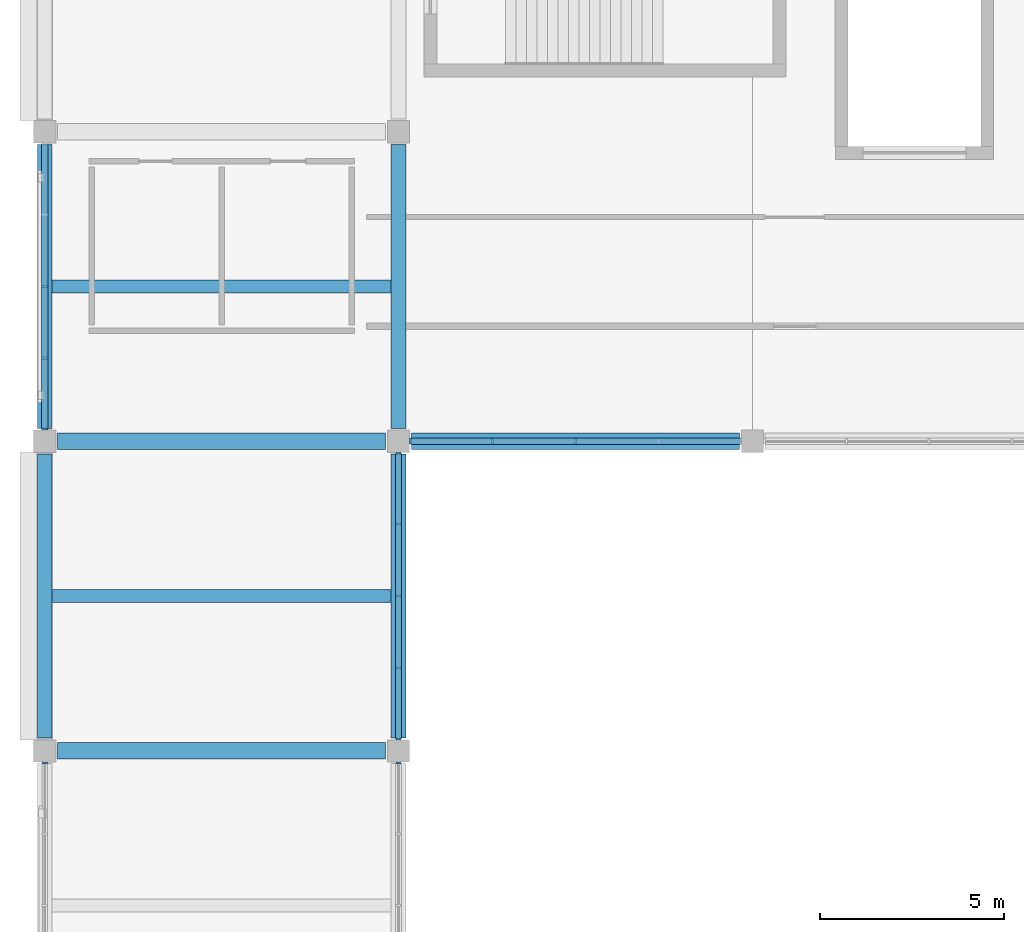
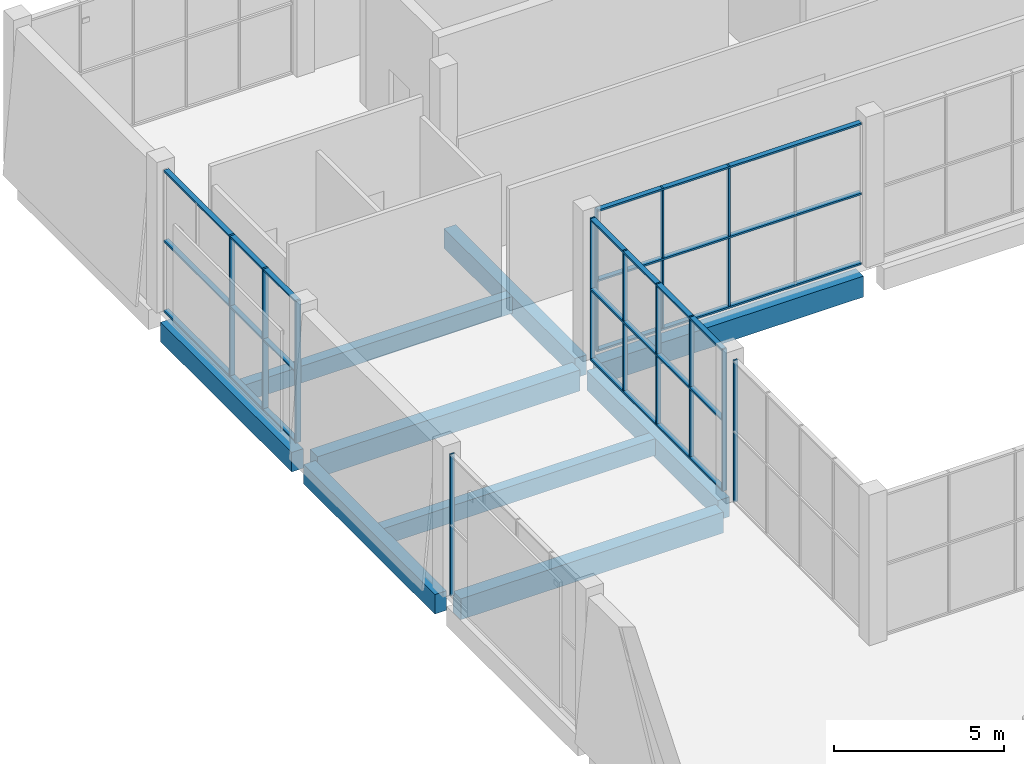
# One storey, part 24 of 83: 22 members, 9 beams, 5 elements without a shape of their own.
"""IFC4 building model written with IfcOpenShell, lengths in metres."""

from ifc_helpers import new_model, si_unit, direction, frame, origin, origin_2d, place, context, subcontext, project, spatial, rectangle, extrude, material, material_profile, profile_set, type_object, element, aggregate, save


model = new_model("IFC4")

# Units and contexts
model_context = context("Model", 3, precision=1e-05, world=origin(), true_north=direction((0.0, 1.0)))
body_context = subcontext(model_context, "Body", "Model", "MODEL_VIEW")
ifc_project = project(units=[si_unit("LENGTHUNIT", "METRE"), si_unit("AREAUNIT", "SQUARE_METRE"), si_unit("VOLUMEUNIT", "CUBIC_METRE"), si_unit("PLANEANGLEUNIT", "RADIAN"), si_unit("MASSUNIT", "GRAM", prefix="KILO")], contexts=[model_context])

# Site, building, storey
site_placement = place(None, origin())
site = spatial("IfcSite", under=ifc_project, at=site_placement, CompositionType="ELEMENT")
building_placement = place(site_placement, origin())
building = spatial("IfcBuilding", under=site, at=building_placement, Name="Shalvenor Court Art Gallery", CompositionType="ELEMENT")
storey_placement = place(building_placement, frame((0.0, 0.0, 6.0)))
storey = spatial("IfcBuildingStorey", under=building, at=storey_placement, Name="L01", CompositionType="ELEMENT", Elevation=6.0)

# Beams
ifc_material_1 = material(Name="Concrete C40/50", Category="concrete")
ifc_material_profile_1 = material_profile(ifc_material_1, rectangle(XDim=0.449951171875, YDim=0.75, at=origin_2d()), Name="RC 450x750")
ifc_profile_set_1 = profile_set([ifc_material_profile_1], Name="Concrete C40/50")
beam_type_1 = type_object("IfcBeamType", Name="B-04", PredefinedType="BEAM", material=ifc_profile_set_1)
for number, where, z_axis, x_axis, name in (
    (1, (0.35009765625, 97.199951171875, -0.695068359375), (1.0, 0.0, 0.0), (0.0, 1.0, 0.0), "L01 Girder BM-L01-B-04-0581"),
    (2, (0.35009765625, 105.60009765625, -0.695068359375), (1.0, 0.0, 0.0), (0.0, 1.0, 0.0), "L01 Girder BM-L01-B-04-0595"),
):
    element("IfcBeam", number, at=place(storey_placement, frame(where, z_axis=z_axis, x_axis=x_axis)), inside=storey, type_object=beam_type_1, Name=name, PredefinedType="BEAM", context=body_context, shape_type="SweptSolid", body=[
        extrude(rectangle(XDim=0.449951171875, YDim=0.75, at=origin_2d()), origin(), (0.0, 0.0, 1.0), 8.89990234375),
    ])
beam_placement = place(storey_placement, frame((9.949951171875, 105.60009765625, -0.695068359375), z_axis=(1.0, 0.0, 0.0), x_axis=(0.0, 1.0, 0.0)))
element("IfcBeam", 3, at=beam_placement, inside=storey, type_object=beam_type_1, Name="L01 Girder BM-L01-B-04-0596", PredefinedType="BEAM", context=body_context, shape_type="SweptSolid", body=[
    extrude(rectangle(XDim=0.449951171875, YDim=0.75, at=origin_2d()), origin(), (0.0, 0.0, 1.0), 8.900146484375),
])
ifc_material_2 = material(Name="Concrete C40/50", Category="concrete")
ifc_material_profile_2 = material_profile(ifc_material_2, rectangle(XDim=0.39990234375, YDim=0.699951171875, at=origin_2d()), Name="RC 400x700")
ifc_profile_set_2 = profile_set([ifc_material_profile_2], Name="Concrete C40/50")
beam_type_2 = type_object("IfcBeamType", Name="B-05", PredefinedType="BEAM", material=ifc_profile_set_2)
for number, where, z_axis, x_axis, name in (
    (4, (0.0, 97.550048828125, -0.669921875), (0.0, 1.0, 0.0), (-1.0, 0.0, 0.0), "L01 Girder BM-L01-B-05-0363"),
    (5, (0.0, 105.949951171875, -0.669921875), (0.0, 1.0, 0.0), (-1.0, 0.0, 0.0), "L01 Girder BM-L01-B-05-0364"),
    (6, (9.60009765625, 97.550048828125, -0.669921875), (0.0, 1.0, 0.0), (-1.0, 0.0, 0.0), "L01 Girder BM-L01-B-05-0371"),
    (7, (9.60009765625, 105.949951171875, -0.669921875), (0.0, 1.0, 0.0), (-1.0, 0.0, 0.0), "L01 Girder BM-L01-B-05-0372"),
):
    element("IfcBeam", number, at=place(storey_placement, frame(where, z_axis=z_axis, x_axis=x_axis)), inside=storey, type_object=beam_type_2, Name=name, PredefinedType="BEAM", context=body_context, shape_type="SweptSolid", body=[
        extrude(rectangle(XDim=0.39990234375, YDim=0.699951171875, at=origin_2d()), origin(), (0.0, 0.0, 1.0), 7.699951171875),
    ])

# Curtain wall, members
ifc_material_3 = material(Name="Anodised aluminium and low-iron glass curtain wall", Category="aluminium")
curtain_wall_type_1 = type_object("IfcCurtainWallType", Name="CW-4x2-78-51-121", PredefinedType="USERDEFINED", material=ifc_material_3)
curtain_wall_1_placement = place(storey_placement, origin())
curtain_wall_1 = element("IfcCurtainWall", 8, at=curtain_wall_1_placement, inside=storey, type_object=curtain_wall_type_1, Name="L01 V5 Curtain Wall CW-L01-172", ObjectType="CURTAIN WALL", PredefinedType="USERDEFINED")
ifc_material_4 = material(Name="Anodised aluminium mullion", Category="aluminium")
ifc_material_profile_3 = material_profile(ifc_material_4, rectangle(XDim=0.06494140625, YDim=0.179931640625, at=origin_2d()), Name="CWM-01")
ifc_profile_set_3 = profile_set([ifc_material_profile_3], Name="Anodised aluminium mullion")
member_type_1 = type_object("IfcMemberType", Name="CWM-01", PredefinedType="MULLION", material=ifc_profile_set_3)
member_1_placement = place(storey_placement, frame((0.0, 105.9326171875, 0.0), z_axis=(0.0, 0.0, 1.0), x_axis=(0.0, 1.0, 0.0)))
member_1 = element("IfcMember", 9, at=member_1_placement, type_object=member_type_1, Name="CW-4x2-78-51-121 mullion 1", PredefinedType="MULLION", context=body_context, shape_type="SweptSolid", body=[
    extrude(rectangle(XDim=0.06494140625, YDim=0.179931640625, at=origin_2d()), origin(), (0.0, 0.0, 1.0), 5.080078125),
])
member_2_placement = place(storey_placement, frame((0.0, 107.85009765625, 0.0), z_axis=(0.0, 0.0, 1.0), x_axis=(0.0, 1.0, 0.0)))
member_2 = element("IfcMember", 10, at=member_2_placement, type_object=member_type_1, Name="CW-4x2-78-51-121 mullion 2", PredefinedType="MULLION", context=body_context, shape_type="SweptSolid", body=[
    extrude(rectangle(XDim=0.06494140625, YDim=0.179931640625, at=origin_2d()), origin(), (0.0, 0.0, 1.0), 5.080078125),
])
member_3_placement = place(storey_placement, frame((0.0, 109.800048828125, 0.0), z_axis=(0.0, 0.0, 1.0), x_axis=(0.0, 1.0, 0.0)))
member_3 = element("IfcMember", 11, at=member_3_placement, type_object=member_type_1, Name="CW-4x2-78-51-121 mullion 3", PredefinedType="MULLION", context=body_context, shape_type="SweptSolid", body=[
    extrude(rectangle(XDim=0.06494140625, YDim=0.179931640625, at=origin_2d()), origin(), (0.0, 0.0, 1.0), 5.080078125),
])

# Curtain wall, member
ifc_material_5 = material(Name="Anodised aluminium and low-iron glass curtain wall", Category="aluminium")
curtain_wall_type_2 = type_object("IfcCurtainWallType", Name="CW-4x2-78-51-611", PredefinedType="USERDEFINED", material=ifc_material_5)
curtain_wall_2_placement = place(storey_placement, origin())
curtain_wall_2 = element("IfcCurtainWall", 12, at=curtain_wall_2_placement, inside=storey, type_object=curtain_wall_type_2, Name="L01 V5 Curtain Wall CW-L01-171", ObjectType="CURTAIN WALL", PredefinedType="USERDEFINED")
ifc_material_6 = material(Name="Anodised aluminium mullion", Category="aluminium")
ifc_material_profile_4 = material_profile(ifc_material_6, rectangle(XDim=0.054931640625, YDim=0.139892578125, at=origin_2d()), Name="CWM-06")
ifc_profile_set_4 = profile_set([ifc_material_profile_4], Name="Anodised aluminium mullion")
member_type_2 = type_object("IfcMemberType", Name="CWM-06", PredefinedType="MULLION", material=ifc_profile_set_4)
member_4_placement = place(storey_placement, frame((0.0, 96.87255859375, 0.0), z_axis=(0.0, 0.0, 1.0), x_axis=(0.0, 1.0, 0.0)))
member_4 = element("IfcMember", 13, at=member_4_placement, type_object=member_type_2, Name="CW-4x2-78-51-611 mullion 5", PredefinedType="MULLION", context=body_context, shape_type="SweptSolid", body=[
    extrude(rectangle(XDim=0.054931640625, YDim=0.139892578125, at=origin_2d()), origin(), (0.0, 0.0, 1.0), 5.080078125),
])
aggregate(curtain_wall_2, [member_4])

# Curtain wall, members
ifc_material_7 = material(Name="Anodised aluminium and low-iron glass curtain wall", Category="aluminium")
curtain_wall_type_3 = type_object("IfcCurtainWallType", Name="CW-CT-4-90", PredefinedType="USERDEFINED", material=ifc_material_7)
curtain_wall_3_placement = place(storey_placement, origin())
curtain_wall_3 = element("IfcCurtainWall", 14, at=curtain_wall_3_placement, inside=storey, type_object=curtain_wall_type_3, Name="L01 Studios Courtyard Curtain Wall CW-CRT-L01-178", ObjectType="CURTAIN WALL", PredefinedType="USERDEFINED")
member_5_placement = place(storey_placement, frame((14.39990234375, 105.60009765625, 0.0), z_axis=(0.0, 0.0, 1.0), x_axis=(-1.0, 0.0, 0.0)))
member_5 = element("IfcMember", 15, at=member_5_placement, type_object=member_type_2, Name="CW-CT-4-90 mullion 3", PredefinedType="MULLION", context=body_context, shape_type="SweptSolid", body=[
    extrude(rectangle(XDim=0.054931640625, YDim=0.139892578125, at=origin_2d()), origin(), (0.0, 0.0, 1.0), 5.080078125),
])
member_6_placement = place(storey_placement, frame((12.14990234375, 105.60009765625, 0.0), z_axis=(0.0, 0.0, 1.0), x_axis=(-1.0, 0.0, 0.0)))
member_6 = element("IfcMember", 16, at=member_6_placement, type_object=member_type_2, Name="CW-CT-4-90 mullion 4", PredefinedType="MULLION", context=body_context, shape_type="SweptSolid", body=[
    extrude(rectangle(XDim=0.054931640625, YDim=0.139892578125, at=origin_2d()), origin(), (0.0, 0.0, 1.0), 5.080078125),
])
member_7_placement = place(storey_placement, frame((9.927490234375, 105.60009765625, 0.0), z_axis=(0.0, 0.0, 1.0), x_axis=(-1.0, 0.0, 0.0)))
member_7 = element("IfcMember", 17, at=member_7_placement, type_object=member_type_2, Name="CW-CT-4-90 mullion 5", PredefinedType="MULLION", context=body_context, shape_type="SweptSolid", body=[
    extrude(rectangle(XDim=0.054931640625, YDim=0.139892578125, at=origin_2d()), origin(), (0.0, 0.0, 1.0), 5.080078125),
])

ifc_material_8 = material(Name="Anodised aluminium and low-iron glass curtain wall", Category="aluminium")
curtain_wall_type_4 = type_object("IfcCurtainWallType", Name="CW-CT-4-78", PredefinedType="USERDEFINED", material=ifc_material_8)
curtain_wall_4_placement = place(storey_placement, origin())
curtain_wall_4 = element("IfcCurtainWall", 18, at=curtain_wall_4_placement, inside=storey, type_object=curtain_wall_type_4, Name="L01 Studios Courtyard Curtain Wall CW-CRT-L01-179", ObjectType="CURTAIN WALL", PredefinedType="USERDEFINED")
member_8_placement = place(storey_placement, frame((9.60009765625, 105.2724609375, 0.0), z_axis=(0.0, 0.0, 1.0), x_axis=(0.0, -1.0, 0.0)))
member_8 = element("IfcMember", 19, at=member_8_placement, type_object=member_type_2, Name="CW-CT-4-78 mullion 1", PredefinedType="MULLION", context=body_context, shape_type="SweptSolid", body=[
    extrude(rectangle(XDim=0.054931640625, YDim=0.139892578125, at=origin_2d()), origin(), (0.0, 0.0, 1.0), 5.080078125),
])
member_9_placement = place(storey_placement, frame((9.60009765625, 103.35009765625, 0.0), z_axis=(0.0, 0.0, 1.0), x_axis=(0.0, -1.0, 0.0)))
member_9 = element("IfcMember", 20, at=member_9_placement, type_object=member_type_2, Name="CW-CT-4-78 mullion 2", PredefinedType="MULLION", context=body_context, shape_type="SweptSolid", body=[
    extrude(rectangle(XDim=0.054931640625, YDim=0.139892578125, at=origin_2d()), origin(), (0.0, 0.0, 1.0), 5.080078125),
])
member_10_placement = place(storey_placement, frame((9.60009765625, 101.39990234375, 0.0), z_axis=(0.0, 0.0, 1.0), x_axis=(0.0, -1.0, 0.0)))
member_10 = element("IfcMember", 21, at=member_10_placement, type_object=member_type_2, Name="CW-CT-4-78 mullion 3", PredefinedType="MULLION", context=body_context, shape_type="SweptSolid", body=[
    extrude(rectangle(XDim=0.054931640625, YDim=0.139892578125, at=origin_2d()), origin(), (0.0, 0.0, 1.0), 5.080078125),
])
member_11_placement = place(storey_placement, frame((9.60009765625, 99.449951171875, 0.0), z_axis=(0.0, 0.0, 1.0), x_axis=(0.0, -1.0, 0.0)))
member_11 = element("IfcMember", 22, at=member_11_placement, type_object=member_type_2, Name="CW-CT-4-78 mullion 4", PredefinedType="MULLION", context=body_context, shape_type="SweptSolid", body=[
    extrude(rectangle(XDim=0.054931640625, YDim=0.139892578125, at=origin_2d()), origin(), (0.0, 0.0, 1.0), 5.080078125),
])
member_12_placement = place(storey_placement, frame((9.60009765625, 97.527587890625, 0.0), z_axis=(0.0, 0.0, 1.0), x_axis=(0.0, -1.0, 0.0)))
member_12 = element("IfcMember", 23, at=member_12_placement, type_object=member_type_2, Name="CW-CT-4-78 mullion 5", PredefinedType="MULLION", context=body_context, shape_type="SweptSolid", body=[
    extrude(rectangle(XDim=0.054931640625, YDim=0.139892578125, at=origin_2d()), origin(), (0.0, 0.0, 1.0), 5.080078125),
])

# Curtain wall, member
curtain_wall_5_placement = place(storey_placement, origin())
curtain_wall_5 = element("IfcCurtainWall", 24, at=curtain_wall_5_placement, inside=storey, type_object=curtain_wall_type_4, Name="L01 Studios Courtyard Curtain Wall CW-CRT-L01-180", ObjectType="CURTAIN WALL", PredefinedType="USERDEFINED")
member_13_placement = place(storey_placement, frame((9.60009765625, 96.87255859375, 0.0), z_axis=(0.0, 0.0, 1.0), x_axis=(0.0, -1.0, 0.0)))
member_13 = element("IfcMember", 25, at=member_13_placement, type_object=member_type_2, Name="CW-CT-4-78 mullion 1", PredefinedType="MULLION", context=body_context, shape_type="SweptSolid", body=[
    extrude(rectangle(XDim=0.054931640625, YDim=0.139892578125, at=origin_2d()), origin(), (0.0, 0.0, 1.0), 5.080078125),
])
aggregate(curtain_wall_5, [member_13])

# Member
ifc_material_9 = material(Name="Anodised aluminium transom", Category="aluminium")
ifc_material_profile_5 = material_profile(ifc_material_9, rectangle(XDim=0.169921875, YDim=0.06494140625, at=origin_2d()), Name="CWT-02")
ifc_profile_set_5 = profile_set([ifc_material_profile_5], Name="Anodised aluminium transom")
member_type_3 = type_object("IfcMemberType", Name="CWT-02", PredefinedType="USERDEFINED", material=ifc_profile_set_5)
member_14_placement = place(storey_placement, frame((0.0, 105.9326171875, 0.032470703125), z_axis=(0.0, 1.0, 0.0), x_axis=(-1.0, 0.0, 0.0)))
member_14 = element("IfcMember", 26, at=member_14_placement, type_object=member_type_3, Name="CW-4x2-78-51-121 transom 1", ObjectType="TRANSOM", PredefinedType="USERDEFINED", context=body_context, shape_type="SweptSolid", body=[
    extrude(rectangle(XDim=0.169921875, YDim=0.06494140625, at=origin_2d()), origin(), (0.0, 0.0, 1.0), 7.73486328125),
])

member_15_placement = place(storey_placement, frame((0.0, 105.9326171875, 2.5400390625), z_axis=(0.0, 1.0, 0.0), x_axis=(-1.0, 0.0, 0.0)))
member_15 = element("IfcMember", 27, at=member_15_placement, type_object=member_type_3, Name="CW-4x2-78-51-121 transom 2", ObjectType="TRANSOM", PredefinedType="USERDEFINED", context=body_context, shape_type="SweptSolid", body=[
    extrude(rectangle(XDim=0.169921875, YDim=0.06494140625, at=origin_2d()), origin(), (0.0, 0.0, 1.0), 7.73486328125),
])

member_16_placement = place(storey_placement, frame((0.0, 105.9326171875, 5.047607421875), z_axis=(0.0, 1.0, 0.0), x_axis=(-1.0, 0.0, 0.0)))
member_16 = element("IfcMember", 28, at=member_16_placement, type_object=member_type_3, Name="CW-4x2-78-51-121 transom 3", ObjectType="TRANSOM", PredefinedType="USERDEFINED", context=body_context, shape_type="SweptSolid", body=[
    extrude(rectangle(XDim=0.169921875, YDim=0.06494140625, at=origin_2d()), origin(), (0.0, 0.0, 1.0), 7.73486328125),
])

aggregate(curtain_wall_1, [member_1, member_2, member_3, member_14, member_15, member_16])

member_17_placement = place(storey_placement, frame((18.87255859375, 105.60009765625, 0.032470703125), z_axis=(-1.0, 0.0, 0.0), x_axis=(0.0, -1.0, 0.0)))
member_17 = element("IfcMember", 29, at=member_17_placement, type_object=member_type_3, Name="CW-CT-4-90 transom 1", ObjectType="TRANSOM", PredefinedType="USERDEFINED", context=body_context, shape_type="SweptSolid", body=[
    extrude(rectangle(XDim=0.169921875, YDim=0.06494140625, at=origin_2d()), origin(), (0.0, 0.0, 1.0), 8.945068359375),
])

member_18_placement = place(storey_placement, frame((18.87255859375, 105.60009765625, 2.5400390625), z_axis=(-1.0, 0.0, 0.0), x_axis=(0.0, -1.0, 0.0)))
member_18 = element("IfcMember", 30, at=member_18_placement, type_object=member_type_3, Name="CW-CT-4-90 transom 2", ObjectType="TRANSOM", PredefinedType="USERDEFINED", context=body_context, shape_type="SweptSolid", body=[
    extrude(rectangle(XDim=0.169921875, YDim=0.06494140625, at=origin_2d()), origin(), (0.0, 0.0, 1.0), 8.945068359375),
])

member_19_placement = place(storey_placement, frame((18.87255859375, 105.60009765625, 5.047607421875), z_axis=(-1.0, 0.0, 0.0), x_axis=(0.0, -1.0, 0.0)))
member_19 = element("IfcMember", 31, at=member_19_placement, type_object=member_type_3, Name="CW-CT-4-90 transom 3", ObjectType="TRANSOM", PredefinedType="USERDEFINED", context=body_context, shape_type="SweptSolid", body=[
    extrude(rectangle(XDim=0.169921875, YDim=0.06494140625, at=origin_2d()), origin(), (0.0, 0.0, 1.0), 8.945068359375),
])

aggregate(curtain_wall_3, [member_5, member_6, member_7, member_17, member_18, member_19])

member_20_placement = place(storey_placement, frame((9.60009765625, 105.2724609375, 0.032470703125), z_axis=(0.0, -1.0, 0.0), x_axis=(1.0, 0.0, 0.0)))
member_20 = element("IfcMember", 32, at=member_20_placement, type_object=member_type_3, Name="CW-CT-4-78 transom 1", ObjectType="TRANSOM", PredefinedType="USERDEFINED", context=body_context, shape_type="SweptSolid", body=[
    extrude(rectangle(XDim=0.169921875, YDim=0.06494140625, at=origin_2d()), origin(), (0.0, 0.0, 1.0), 7.744873046875),
])

member_21_placement = place(storey_placement, frame((9.60009765625, 105.2724609375, 2.5400390625), z_axis=(0.0, -1.0, 0.0), x_axis=(1.0, 0.0, 0.0)))
member_21 = element("IfcMember", 33, at=member_21_placement, type_object=member_type_3, Name="CW-CT-4-78 transom 2", ObjectType="TRANSOM", PredefinedType="USERDEFINED", context=body_context, shape_type="SweptSolid", body=[
    extrude(rectangle(XDim=0.169921875, YDim=0.06494140625, at=origin_2d()), origin(), (0.0, 0.0, 1.0), 7.744873046875),
])

member_22_placement = place(storey_placement, frame((9.60009765625, 105.2724609375, 5.047607421875), z_axis=(0.0, -1.0, 0.0), x_axis=(1.0, 0.0, 0.0)))
member_22 = element("IfcMember", 34, at=member_22_placement, type_object=member_type_3, Name="CW-CT-4-78 transom 3", ObjectType="TRANSOM", PredefinedType="USERDEFINED", context=body_context, shape_type="SweptSolid", body=[
    extrude(rectangle(XDim=0.169921875, YDim=0.06494140625, at=origin_2d()), origin(), (0.0, 0.0, 1.0), 7.744873046875),
])

aggregate(curtain_wall_4, [member_8, member_9, member_10, member_11, member_12, member_20, member_21, member_22])

# Beams
ifc_material_10 = material(Name="Concrete C40/50", Category="concrete")
ifc_material_profile_6 = material_profile(ifc_material_10, rectangle(XDim=0.35009765625, YDim=0.60009765625, at=origin_2d()), Name="RC 350x600")
ifc_profile_set_6 = profile_set([ifc_material_profile_6], Name="Concrete C40/50")
beam_type_3 = type_object("IfcBeamType", Name="J-01", PredefinedType="JOIST", material=ifc_profile_set_6)
for number, where, z_axis, x_axis, name in (
    (35, (0.199951171875, 101.39990234375, -0.6201171875), (1.0, 0.0, 0.0), (0.0, 1.0, 0.0), "L01 Secondary Beam JST-L01-J-01-0627"),
    (36, (0.199951171875, 109.800048828125, -0.6201171875), (1.0, 0.0, 0.0), (0.0, 1.0, 0.0), "L01 Secondary Beam JST-L01-J-01-0628"),
):
    element("IfcBeam", number, at=place(storey_placement, frame(where, z_axis=z_axis, x_axis=x_axis)), inside=storey, type_object=beam_type_3, Name=name, PredefinedType="JOIST", context=body_context, shape_type="SweptSolid", body=[
        extrude(rectangle(XDim=0.35009765625, YDim=0.60009765625, at=origin_2d()), origin(), (0.0, 0.0, 1.0), 9.199951171875),
    ])

save(model, "model.ifc")
